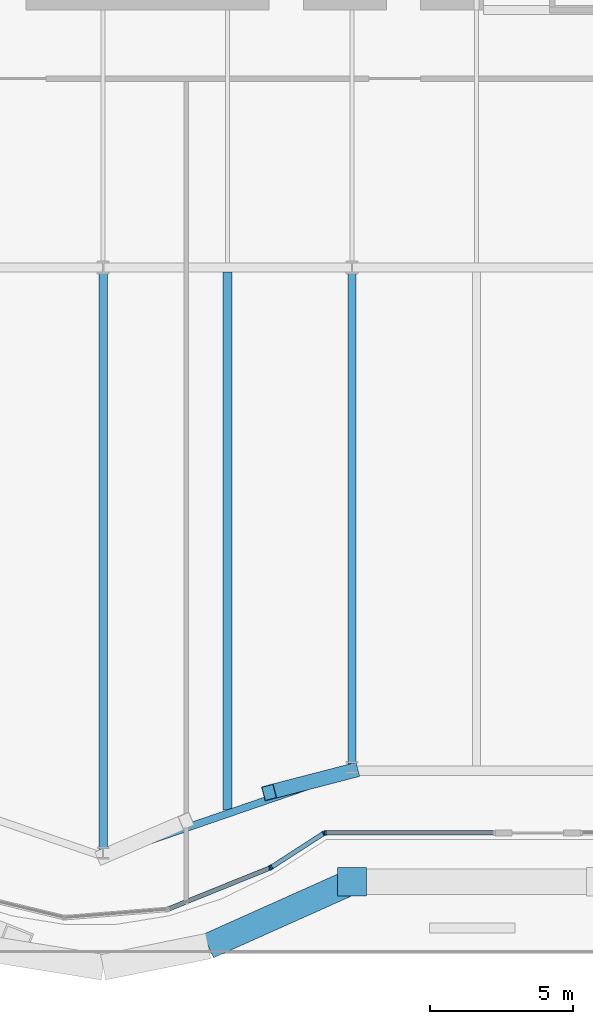
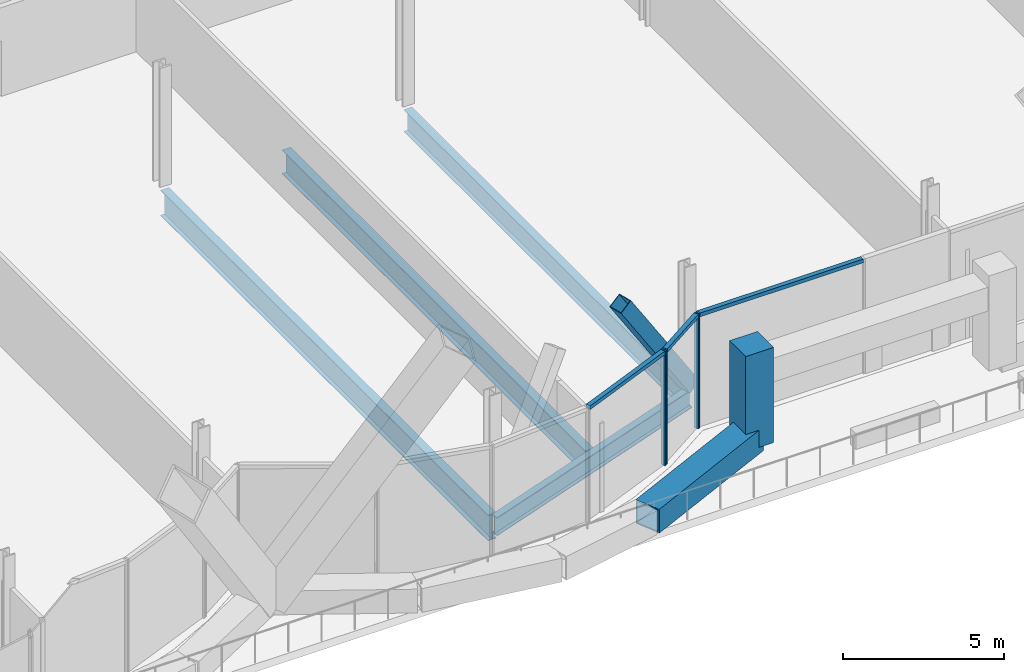
# One storey, part 9 of 29: 10 members, 4 beams, 2 elements without a shape of their own.
"""IFC4 building model written with IfcOpenShell, lengths in metres."""

from ifc_helpers import new_model, si_unit, direction, frame, origin, origin_2d, place, context, subcontext, project, spatial, rectangle, hollow_rectangle, i_section, extrude, material, material_profile, profile_set, type_object, element, aggregate, save


model = new_model("IFC4")

# Units and contexts
model_context = context("Model", 3, precision=1e-05, world=origin(), true_north=direction((0.0, 1.0)))
body_context = subcontext(model_context, "Body", "Model", "MODEL_VIEW")
ifc_project = project(units=[si_unit("LENGTHUNIT", "METRE"), si_unit("AREAUNIT", "SQUARE_METRE"), si_unit("VOLUMEUNIT", "CUBIC_METRE"), si_unit("PLANEANGLEUNIT", "RADIAN"), si_unit("MASSUNIT", "GRAM", prefix="KILO")], contexts=[model_context])

# Site, building, storey
site_placement = place(None, origin())
site = spatial("IfcSite", under=ifc_project, at=site_placement, CompositionType="ELEMENT")
building_placement = place(site_placement, origin())
building = spatial("IfcBuilding", under=site, at=building_placement, Name="Bicima Exchange Tower", CompositionType="ELEMENT")
storey_placement = place(building_placement, frame((0.0, 0.0, 35.0)))
storey = spatial("IfcBuildingStorey", under=building, at=storey_placement, Name="L06", CompositionType="ELEMENT", Elevation=35.0)

# Members
ifc_material_1 = material(Name="Steel ASTM A572 Gr 50", Category="steel")
ifc_material_profile_1 = material_profile(ifc_material_1, hollow_rectangle(XDim=0.89990234375, YDim=0.89990234375, WallThickness=0.050048828125, at=origin_2d()))
ifc_profile_set_1 = profile_set([ifc_material_profile_1], Name="Steel ASTM A572 Gr 50")
member_type_1 = type_object("IfcMemberType", Name="Exo belt ring BOX 900x900x50", PredefinedType="CHORD", material=ifc_profile_set_1)
member_1_placement = place(storey_placement, frame((12.375, -45.7255859375, 0.449951171875), z_axis=(0.91268161309, 0.408671350998, 0.0), x_axis=(-0.408671350998, 0.91268161309, 0.0)))
element("IfcMember", 1, at=member_1_placement, inside=storey, type_object=member_type_1, Name="Exo belt ring", PredefinedType="CHORD", context=body_context, shape_type="SweptSolid", body=[
    extrude(hollow_rectangle(XDim=0.89990234375, YDim=0.89990234375, WallThickness=0.050048828125, at=origin_2d()), origin(), (0.0, 0.0, 1.0), 5.505615234375),
])
ifc_material_2 = material(Name="Cast steel ASTM A216 Gr WCB", Category="steel")
ifc_material_profile_2 = material_profile(ifc_material_2, rectangle(XDim=1.0, YDim=1.0, at=origin_2d()))
ifc_profile_set_2 = profile_set([ifc_material_profile_2], Name="Cast steel ASTM A216 Gr WCB")
member_type_2 = type_object("IfcMemberType", Name="Exo node block", PredefinedType="POST", material=ifc_profile_set_2)
member_2_placement = place(storey_placement, frame((17.39990234375, -43.4755859375, 0.25), z_axis=(0.0, 0.0, 1.0), x_axis=(1.0, 0.0, 0.0)))
element("IfcMember", 2, at=member_2_placement, inside=storey, type_object=member_type_2, Name="Exo node block", PredefinedType="POST", context=body_context, shape_type="SweptSolid", body=[
    extrude(rectangle(XDim=1.0, YDim=1.0, at=origin_2d()), origin(), (0.0, 0.0, 1.0), 3.60009765625),
])

# Beams
ifc_material_3 = material(Name="Steel ASTM A992 Gr 50", Category="steel")
ifc_material_profile_3 = material_profile(ifc_material_3, i_section(OverallWidth=0.2919921875, OverallDepth=0.835693359375, WebThickness=0.013916015625, FlangeThickness=0.018798828125, at=origin_2d()))
ifc_profile_set_3 = profile_set([ifc_material_profile_3], Name="Steel ASTM A992 Gr 50")
beam_type_1 = type_object("IfcBeamType", Name="Floor beam W33x118", PredefinedType="JOIST", material=ifc_profile_set_3)
beam_1_placement = place(storey_placement, frame((17.39990234375, -22.16259765625, -0.56787109375), z_axis=(0.0, -1.0, 0.0), x_axis=(1.0, 0.0, 0.0)))
element("IfcBeam", 3, at=beam_1_placement, inside=storey, type_object=beam_type_1, Name="Floor beam", PredefinedType="JOIST", context=body_context, shape_type="SweptSolid", body=[
    extrude(i_section(OverallWidth=0.2919921875, OverallDepth=0.835693359375, WebThickness=0.013916015625, FlangeThickness=0.018798828125, at=origin_2d()), origin(), (0.0, 0.0, 1.0), 17.3017578125),
])
ifc_material_profile_4 = material_profile(ifc_material_3, i_section(OverallWidth=0.3046875, OverallDepth=0.904296875, WebThickness=0.01513671875, FlangeThickness=0.02001953125, at=origin_2d()))
ifc_profile_set_4 = profile_set([ifc_material_profile_4], Name="Steel ASTM A992 Gr 50")
beam_type_2 = type_object("IfcBeamType", Name="Floor beam W36x135", PredefinedType="JOIST", material=ifc_profile_set_4)
beam_2_placement = place(storey_placement, frame((13.050048828125, -22.16259765625, -0.60205078125), z_axis=(0.0, -1.0, 0.0), x_axis=(1.0, 0.0, 0.0)))
element("IfcBeam", 4, at=beam_2_placement, inside=storey, type_object=beam_type_2, Name="Floor beam", PredefinedType="JOIST", context=body_context, shape_type="SweptSolid", body=[
    extrude(i_section(OverallWidth=0.3046875, OverallDepth=0.904296875, WebThickness=0.01513671875, FlangeThickness=0.02001953125, at=origin_2d()), origin(), (0.0, 0.0, 1.0), 18.79736328125),
])
ifc_material_profile_5 = material_profile(ifc_material_3, i_section(OverallWidth=0.2998046875, OverallDepth=0.97021484375, WebThickness=0.01611328125, FlangeThickness=0.02099609375, at=origin_2d()))
ifc_profile_set_5 = profile_set([ifc_material_profile_5], Name="Steel ASTM A992 Gr 50")
beam_type_3 = type_object("IfcBeamType", Name="Floor beam W40x149", PredefinedType="JOIST", material=ifc_profile_set_5)
beam_3_placement = place(storey_placement, frame((8.699951171875, -22.16259765625, -0.635009765625), z_axis=(0.0, -1.0, 0.0), x_axis=(1.0, 0.0, 0.0)))
element("IfcBeam", 5, at=beam_3_placement, inside=storey, type_object=beam_type_3, Name="Floor beam", PredefinedType="JOIST", context=body_context, shape_type="SweptSolid", body=[
    extrude(i_section(OverallWidth=0.2998046875, OverallDepth=0.97021484375, WebThickness=0.01611328125, FlangeThickness=0.02099609375, at=origin_2d()), origin(), (0.0, 0.0, 1.0), 20.292724609375),
])
ifc_material_profile_6 = material_profile(ifc_material_3, i_section(OverallWidth=0.256591796875, OverallDepth=0.693359375, WebThickness=0.014404296875, FlangeThickness=0.023681640625, at=origin_2d()))
ifc_profile_set_6 = profile_set([ifc_material_profile_6], Name="Steel ASTM A992 Gr 50")
beam_type_4 = type_object("IfcBeamType", Name="Front girder W27x114", PredefinedType="BEAM", material=ifc_profile_set_6)
beam_4_placement = place(storey_placement, frame((8.699951171875, -42.591064453125, -0.49658203125), z_axis=(0.945674616091, 0.32511462668, 0.0), x_axis=(-0.32511462668, 0.945674616091, 0.0)))
element("IfcBeam", 6, at=beam_4_placement, inside=storey, type_object=beam_type_4, Name="Front girder", PredefinedType="BEAM", context=body_context, shape_type="SweptSolid", body=[
    extrude(i_section(OverallWidth=0.256591796875, OverallDepth=0.693359375, WebThickness=0.014404296875, FlangeThickness=0.023681640625, at=origin_2d()), origin(), (0.0, 0.0, 1.0), 9.19970703125),
])

# Curtain wall, members
ifc_material_4 = material(Name="Anodised bronze aluminium", Category="aluminium")
curtain_wall_type = type_object("IfcCurtainWallType", Name="Front glass wall", PredefinedType="NOTDEFINED", material=ifc_material_4)
curtain_wall_1_placement = place(storey_placement, origin())
curtain_wall_1 = element("IfcCurtainWall", 7, at=curtain_wall_1_placement, inside=storey, type_object=curtain_wall_type, Name="Front glass wall L06 run 11", PredefinedType="NOTDEFINED")
ifc_material_profile_7 = material_profile(ifc_material_4, rectangle(XDim=0.159912109375, YDim=0.06005859375, at=origin_2d()))
ifc_profile_set_7 = profile_set([ifc_material_profile_7], Name="Anodised bronze aluminium")
member_type_3 = type_object("IfcMemberType", Name="Front glass wall mullion 60 x 160", PredefinedType="MULLION", material=ifc_profile_set_7)
member_3_placement = place(storey_placement, frame((14.52587890625, -42.99560546875, 0.0), z_axis=(0.0, 0.0, 1.0), x_axis=(-0.374705304, 0.92714396679, 0.0)))
member_3 = element("IfcMember", 8, at=member_3_placement, type_object=member_type_3, Name="Front glass wall mullion 2", PredefinedType="MULLION", context=body_context, shape_type="SweptSolid", body=[
    extrude(rectangle(XDim=0.159912109375, YDim=0.06005859375, at=origin_2d()), origin(), (0.0, 0.0, 1.0), 4.35009765625),
])
member_4_placement = place(storey_placement, frame((14.578857421875, -42.968017578125, 0.0), z_axis=(0.0, 0.0, 1.0), x_axis=(-0.542909183079, 0.839791413941, 0.0)))
member_4 = element("IfcMember", 9, at=member_4_placement, type_object=member_type_3, Name="Front glass wall mullion 1", PredefinedType="MULLION", context=body_context, shape_type="SweptSolid", body=[
    extrude(rectangle(XDim=0.159912109375, YDim=0.06005859375, at=origin_2d()), origin(), (0.0, 0.0, 1.0), 4.35009765625),
])
member_5_placement = place(storey_placement, frame((16.406982421875, -41.786376953125, 0.0), z_axis=(0.0, 0.0, 1.0), x_axis=(-0.542909183079, 0.839791413941, 0.0)))
member_5 = element("IfcMember", 10, at=member_5_placement, type_object=member_type_3, Name="Front glass wall mullion 2", PredefinedType="MULLION", context=body_context, shape_type="SweptSolid", body=[
    extrude(rectangle(XDim=0.159912109375, YDim=0.06005859375, at=origin_2d()), origin(), (0.0, 0.0, 1.0), 4.35009765625),
])

# Curtain wall, member
curtain_wall_2_placement = place(storey_placement, origin())
curtain_wall_2 = element("IfcCurtainWall", 11, at=curtain_wall_2_placement, inside=storey, type_object=curtain_wall_type, Name="Front glass wall L06 run 2.1", PredefinedType="NOTDEFINED")
member_6_placement = place(storey_placement, frame((16.462158203125, -41.77001953125, 0.0), z_axis=(0.0, 0.0, 1.0), x_axis=(0.0, 1.0, 0.0)))
member_6 = element("IfcMember", 12, at=member_6_placement, type_object=member_type_3, Name="Front glass wall mullion 1", PredefinedType="MULLION", context=body_context, shape_type="SweptSolid", body=[
    extrude(rectangle(XDim=0.159912109375, YDim=0.06005859375, at=origin_2d()), origin(), (0.0, 0.0, 1.0), 4.35009765625),
])

# Member
ifc_material_profile_8 = material_profile(ifc_material_4, rectangle(XDim=0.159912109375, YDim=0.139892578125, at=origin_2d()))
ifc_profile_set_8 = profile_set([ifc_material_profile_8], Name="Anodised bronze aluminium")
member_type_4 = type_object("IfcMemberType", Name="Front glass wall transom 140 x 160", PredefinedType="USERDEFINED", material=ifc_profile_set_8)
member_7_placement = place(storey_placement, frame((11.001708984375, -44.419921875, 4.280029296875), z_axis=(0.927140215882, 0.374714584842, 0.0), x_axis=(-0.374714584842, 0.927140215882, 0.0)))
member_7 = element("IfcMember", 13, at=member_7_placement, type_object=member_type_4, Name="Front glass wall transom 1.1", ObjectType="TRANSOM", PredefinedType="USERDEFINED", context=body_context, shape_type="SweptSolid", body=[
    extrude(rectangle(XDim=0.159912109375, YDim=0.139892578125, at=origin_2d()), origin(), (0.0, 0.0, 1.0), 3.77099609375),
])

member_8_placement = place(storey_placement, frame((14.60400390625, -42.951904296875, 4.280029296875), z_axis=(0.839740302602, 0.542988235771, 0.0), x_axis=(-0.542988235771, 0.839740302602, 0.0)))
member_8 = element("IfcMember", 14, at=member_8_placement, type_object=member_type_4, Name="Front glass wall transom 1.1", ObjectType="TRANSOM", PredefinedType="USERDEFINED", context=body_context, shape_type="SweptSolid", body=[
    extrude(rectangle(XDim=0.159912109375, YDim=0.139892578125, at=origin_2d()), origin(), (0.0, 0.0, 1.0), 2.116943359375),
])

aggregate(curtain_wall_1, [member_3, member_7, member_4, member_5, member_8])

member_9_placement = place(storey_placement, frame((16.4921875, -41.77001953125, 4.280029296875), z_axis=(1.0, 0.0, 0.0), x_axis=(0.0, 1.0, 0.0)))
member_9 = element("IfcMember", 15, at=member_9_placement, type_object=member_type_4, Name="Front glass wall transom 1.1", ObjectType="TRANSOM", PredefinedType="USERDEFINED", context=body_context, shape_type="SweptSolid", body=[
    extrude(rectangle(XDim=0.159912109375, YDim=0.139892578125, at=origin_2d()), origin(), (0.0, 0.0, 1.0), 5.847900390625),
])

aggregate(curtain_wall_2, [member_6, member_9])

ifc_material_profile_9 = material_profile(ifc_material_1, hollow_rectangle(XDim=0.508056640625, YDim=0.508056640625, WallThickness=0.017822265625, at=origin_2d()))
ifc_profile_set_9 = profile_set([ifc_material_profile_9], Name="Steel ASTM A572 Gr 50")
member_type_5 = type_object("IfcMemberType", Name="Mega brace HSS20x20x3/4", PredefinedType="BRACE", material=ifc_profile_set_9)
member_10_placement = place(storey_placement, frame((17.39990234375, -39.60009765625, 0.0), z_axis=(-0.536409154739, -0.13927309591, 0.832387063491), x_axis=(0.251307155067, -0.967907389068, 0.0)))
element("IfcMember", 16, at=member_10_placement, inside=storey, type_object=member_type_5, Name="Mega brace front", PredefinedType="BRACE", context=body_context, shape_type="SweptSolid", body=[
    extrude(hollow_rectangle(XDim=0.508056640625, YDim=0.508056640625, WallThickness=0.017822265625, at=origin_2d()), origin(), (0.0, 0.0, 1.0), 5.40625),
])

save(model, "model.ifc")
